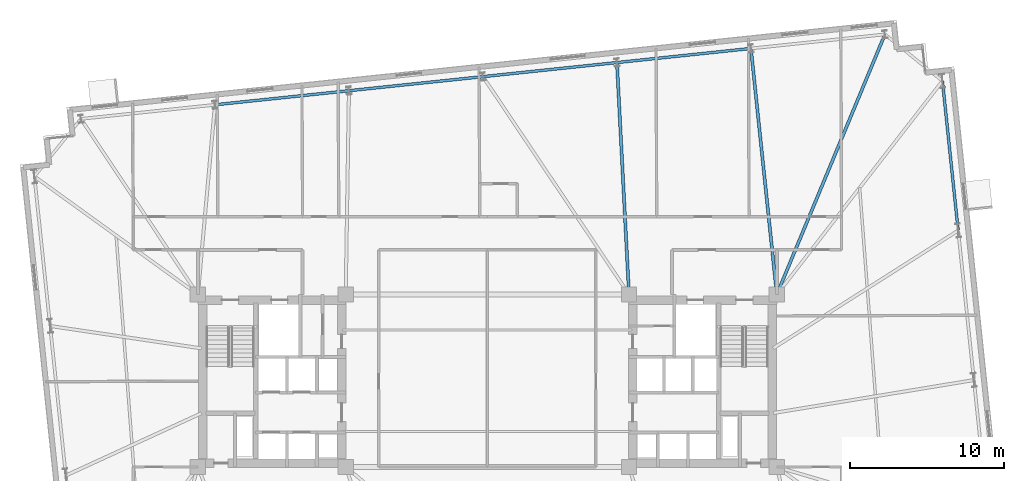
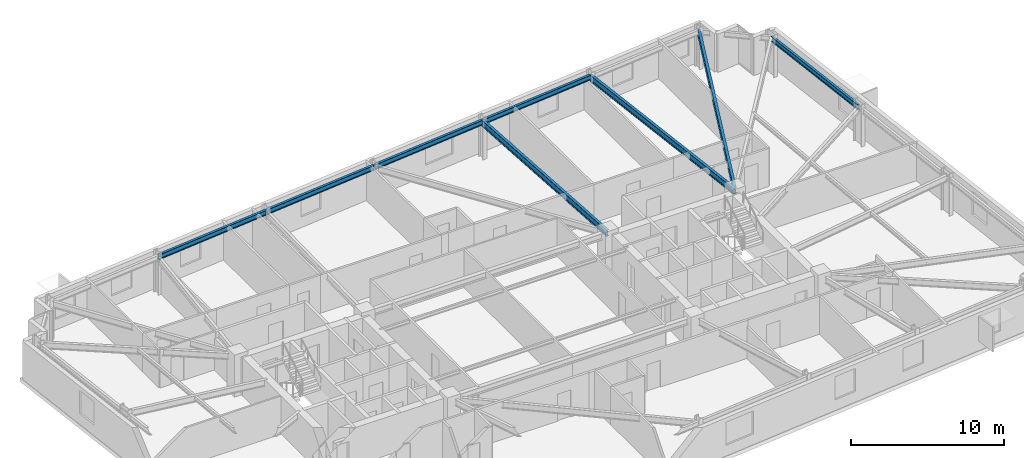
# One storey, part 9 of 17: 8 beams.
"""IFC4 building model written with IfcOpenShell, lengths in metres."""

from ifc_helpers import new_model, si_unit, direction, frame, origin, origin_2d, place, context, subcontext, project, spatial, i_section, extrude, material, material_profile, profile_set, type_object, element, save


model = new_model("IFC4")

# Units and contexts
model_context = context("Model", 3, precision=1e-05, world=origin(), true_north=direction((0.0, 1.0)))
body_context = subcontext(model_context, "Body", "Model", "MODEL_VIEW")
ifc_project = project(units=[si_unit("LENGTHUNIT", "METRE"), si_unit("AREAUNIT", "SQUARE_METRE"), si_unit("VOLUMEUNIT", "CUBIC_METRE"), si_unit("PLANEANGLEUNIT", "RADIAN"), si_unit("MASSUNIT", "GRAM", prefix="KILO")], contexts=[model_context])

# Site, building, storey
site_placement = place(None, origin())
site = spatial("IfcSite", under=ifc_project, at=site_placement, CompositionType="ELEMENT")
building_placement = place(site_placement, origin())
building = spatial("IfcBuilding", under=site, at=building_placement, Name="Qobustan Lattice House", CompositionType="ELEMENT")
storey_placement = place(building_placement, frame((0.0, 0.0, 112.5)))
storey = spatial("IfcBuildingStorey", under=building, at=storey_placement, Name="L31", CompositionType="ELEMENT", Elevation=112.5)

# Beams
ifc_material_1 = material(Name="Steel S355", Category="steel")
ifc_material_profile_1 = material_profile(ifc_material_1, i_section(OverallWidth=0.199951171875, OverallDepth=0.5, WebThickness=0.01025390625, FlangeThickness=0.01611328125, FilletRadius=0.02099609375, at=origin_2d()), Name="IPE500")
ifc_profile_set_1 = profile_set([ifc_material_profile_1], Name="Steel S355")
beam_type_1 = type_object("IfcBeamType", Name="BM-FLG-IPE500", PredefinedType="USERDEFINED", material=ifc_profile_set_1)
beam_1_placement = place(storey_placement, frame((8.41650390625, 20.640625, 2.794921875), z_axis=(0.052023629628, -0.998645854125, 0.0), x_axis=(0.998645854125, 0.052023629628, 0.0)))
element("IfcBeam", 1, at=beam_1_placement, inside=storey, type_object=beam_type_1, Name="L31 primary floor girder RAD-N3", ObjectType="GIRDER", PredefinedType="USERDEFINED", context=body_context, shape_type="SweptSolid", body=[
    extrude(i_section(OverallWidth=0.199951171875, OverallDepth=0.5, WebThickness=0.01025390625, FlangeThickness=0.01611328125, FilletRadius=0.02099609375, at=origin_2d()), origin(), (0.0, 0.0, 1.0), 15.035888671875),
])
beam_2_placement = place(storey_placement, frame((17.1201171875, 21.555419921875, 2.794921875), z_axis=(0.104706999053, -0.994503114298, 0.0), x_axis=(0.994503114298, 0.104706999053, 0.0)))
element("IfcBeam", 2, at=beam_2_placement, inside=storey, type_object=beam_type_1, Name="L31 primary floor girder RAD-N2", ObjectType="GIRDER", PredefinedType="USERDEFINED", context=body_context, shape_type="SweptSolid", body=[
    extrude(i_section(OverallWidth=0.199951171875, OverallDepth=0.5, WebThickness=0.01025390625, FlangeThickness=0.01611328125, FilletRadius=0.02099609375, at=origin_2d()), origin(), (0.0, 0.0, 1.0), 16.0185546875),
])
beam_3_placement = place(storey_placement, frame((25.809814453125, 22.471923828125, 2.794921875), z_axis=(-0.383675501465, -0.923467979724, 0.0), x_axis=(0.923467979724, -0.383675501465, 0.0)))
element("IfcBeam", 3, at=beam_3_placement, inside=storey, type_object=beam_type_1, Name="L31 primary floor girder RAD-N1E", ObjectType="GIRDER", PredefinedType="USERDEFINED", context=body_context, shape_type="SweptSolid", body=[
    extrude(i_section(OverallWidth=0.199951171875, OverallDepth=0.5, WebThickness=0.01025390625, FlangeThickness=0.01611328125, FilletRadius=0.02099609375, at=origin_2d()), origin(), (0.0, 0.0, 1.0), 18.2451171875),
])
ifc_material_2 = material(Name="Steel S355", Category="steel")
ifc_material_profile_2 = material_profile(ifc_material_2, i_section(OverallWidth=0.179931640625, OverallDepth=0.39990234375, WebThickness=0.008544921875, FlangeThickness=0.013427734375, FilletRadius=0.02099609375, at=origin_2d()), Name="IPE400")
ifc_profile_set_2 = profile_set([ifc_material_profile_2], Name="Steel S355")
beam_type_2 = type_object("IfcBeamType", Name="BM-SPD-IPE400", PredefinedType="SPANDREL", material=ifc_profile_set_2)
beam_4_placement = place(storey_placement, frame((30.574462890625, 9.78076171875, 2.844970703125), z_axis=(-0.104525214252, 0.994522236848, 0.0), x_axis=(-0.994522236848, -0.104525214252, 0.0)))
element("IfcBeam", 4, at=beam_4_placement, inside=storey, type_object=beam_type_2, Name="L31 perimeter spandrel E3-E4", PredefinedType="SPANDREL", context=body_context, shape_type="SweptSolid", body=[
    extrude(i_section(OverallWidth=0.179931640625, OverallDepth=0.39990234375, WebThickness=0.008544921875, FlangeThickness=0.013427734375, FilletRadius=0.02099609375, at=origin_2d()), origin(), (0.0, 0.0, 1.0), 9.716552734375),
])
beam_5_placement = place(storey_placement, frame((17.092529296875, 21.577880859375, 2.844970703125), z_axis=(-0.994518668742, -0.104559158006, 0.0), x_axis=(0.104559158006, -0.994518668742, 0.0)))
element("IfcBeam", 5, at=beam_5_placement, inside=storey, type_object=beam_type_2, Name="L31 perimeter spandrel N2-N3", PredefinedType="SPANDREL", context=body_context, shape_type="SweptSolid", body=[
    extrude(i_section(OverallWidth=0.179931640625, OverallDepth=0.39990234375, WebThickness=0.008544921875, FlangeThickness=0.013427734375, FilletRadius=0.02099609375, at=origin_2d()), origin(), (0.0, 0.0, 1.0), 8.699951171875),
])
beam_6_placement = place(storey_placement, frame((8.390380859375, 20.6630859375, 2.844970703125), z_axis=(-0.994521279781, -0.10453432002, 0.0), x_axis=(0.10453432002, -0.994521279781, 0.0)))
element("IfcBeam", 6, at=beam_6_placement, inside=storey, type_object=beam_type_2, Name="L31 perimeter spandrel N3-N4", PredefinedType="SPANDREL", context=body_context, shape_type="SweptSolid", body=[
    extrude(i_section(OverallWidth=0.179931640625, OverallDepth=0.39990234375, WebThickness=0.008544921875, FlangeThickness=0.013427734375, FilletRadius=0.02099609375, at=origin_2d()), origin(), (0.0, 0.0, 1.0), 8.69970703125),
])
for number, where, z_axis, x_axis, name in (
    (7, (-0.3115234375, 19.74853515625, 2.844970703125), (-0.994521586424, -0.104531402636, 0.0), (0.104531402636, -0.994521586424, 0.0), "L31 perimeter spandrel N4-N5"),
    (8, (-9.013671875, 18.833984375, 2.844970703125), (-0.994521586424, -0.104531402636, 0.0), (0.104531402636, -0.994521586424, 0.0), "L31 perimeter spandrel N5-N6"),
):
    element("IfcBeam", number, at=place(storey_placement, frame(where, z_axis=z_axis, x_axis=x_axis)), inside=storey, type_object=beam_type_2, Name=name, PredefinedType="SPANDREL", context=body_context, shape_type="SweptSolid", body=[
        extrude(i_section(OverallWidth=0.179931640625, OverallDepth=0.39990234375, WebThickness=0.008544921875, FlangeThickness=0.013427734375, FilletRadius=0.02099609375, at=origin_2d()), origin(), (0.0, 0.0, 1.0), 8.699951171875),
    ])

save(model, "model.ifc")
